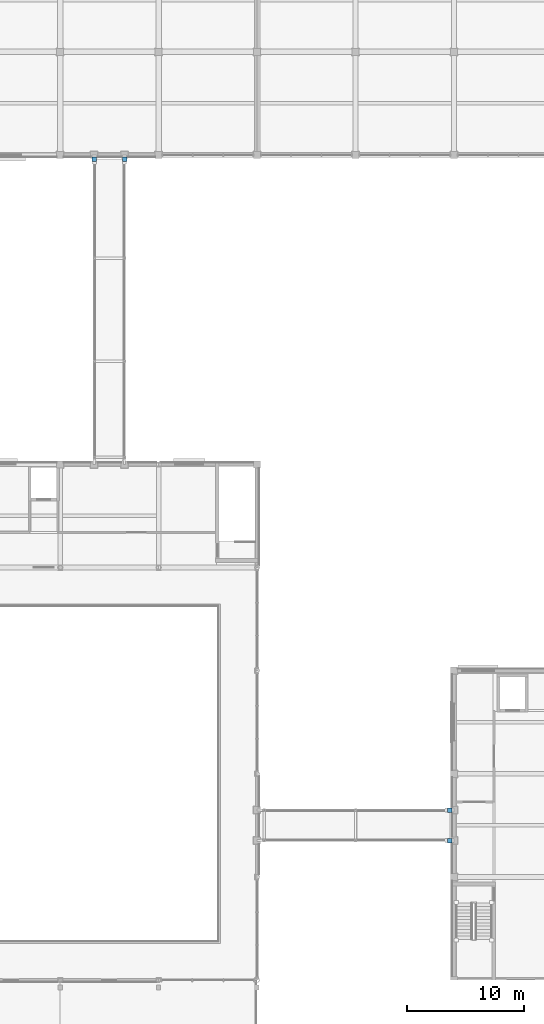
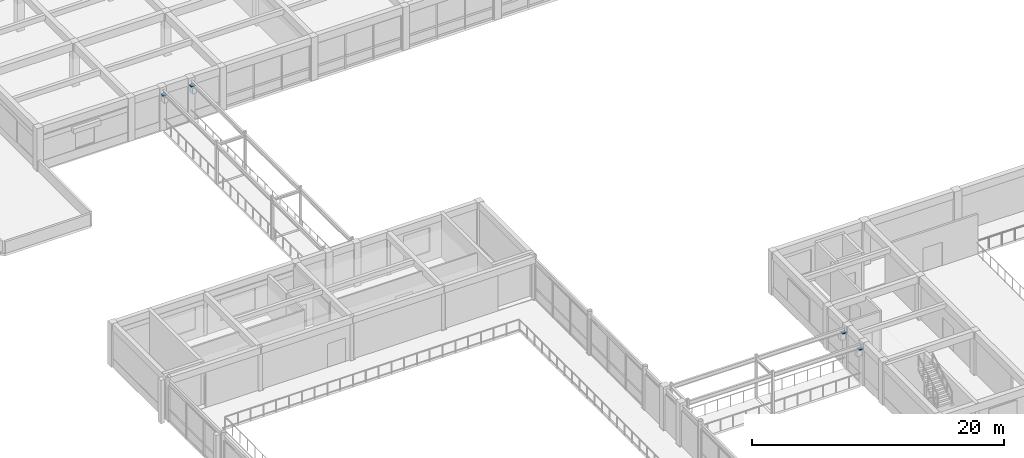
# One storey, part 42 of 57: 4 discrete accessories.
"""IFC4 building model written with IfcOpenShell, lengths in metres."""

from ifc_helpers import new_model, si_unit, direction, frame, origin, origin_2d, place, context, subcontext, project, spatial, rectangle, extrude, material, type_object, element, save


model = new_model("IFC4")

# Units and contexts
model_context = context("Model", 3, precision=1e-05, world=origin(), true_north=direction((0.0, 1.0)))
body_context = subcontext(model_context, "Body", "Model", "MODEL_VIEW")
ifc_project = project(units=[si_unit("LENGTHUNIT", "METRE"), si_unit("AREAUNIT", "SQUARE_METRE"), si_unit("VOLUMEUNIT", "CUBIC_METRE"), si_unit("PLANEANGLEUNIT", "RADIAN"), si_unit("MASSUNIT", "GRAM", prefix="KILO")], contexts=[model_context])

# Site, building, storey
site_placement = place(None, origin())
site = spatial("IfcSite", under=ifc_project, at=site_placement, CompositionType="ELEMENT")
building_placement = place(site_placement, origin())
building = spatial("IfcBuilding", under=site, at=building_placement, Name="Kemercrest Conservatory and Botanical Centre", CompositionType="ELEMENT")
storey_placement = place(building_placement, frame((0.0, 0.0, 4.800048828125)))
storey = spatial("IfcBuildingStorey", under=building, at=storey_placement, Name="L01", CompositionType="ELEMENT", Elevation=4.800048828125)

# Discrete accessories
ifc_material = material(Name="Stainless steel and PTFE elastomeric sliding bearing", Category="steel")
discrete_accessory_type = type_object("IfcDiscreteAccessoryType", Name="SB1", PredefinedType="BRACKET", material=ifc_material)
for number, where, z_axis, x_axis, name in (
    (1, (58.02490234375, 28.699951171875, 3.48291015625), (0.0, 0.0, 1.0), (1.0, 0.0, 0.0), "Seismic link bridge bearing SB1 SJ-1"),
    (2, (58.02490234375, 31.300048828125, 3.48291015625), (0.0, 0.0, 1.0), (1.0, 0.0, 0.0), "Seismic link bridge bearing SB1 SJ-1"),
    (3, (27.699951171875, 86.824951171875, 3.48291015625), (0.0, 0.0, 1.0), (1.0, 0.0, 0.0), "Seismic link bridge bearing SB1 SJ-2"),
    (4, (30.300048828125, 86.824951171875, 3.48291015625), (0.0, 0.0, 1.0), (1.0, 0.0, 0.0), "Seismic link bridge bearing SB1 SJ-2"),
):
    element("IfcDiscreteAccessory", number, at=place(storey_placement, frame(where, z_axis=z_axis, x_axis=x_axis)), inside=storey, type_object=discrete_accessory_type, Name=name, PredefinedType="BRACKET", context=body_context, shape_type="SweptSolid", body=[
        extrude(rectangle(XDim=0.3798828125, YDim=0.3798828125, at=origin_2d()), origin(), (0.0, 0.0, 1.0), 0.080078125),
    ])

save(model, "model.ifc")
